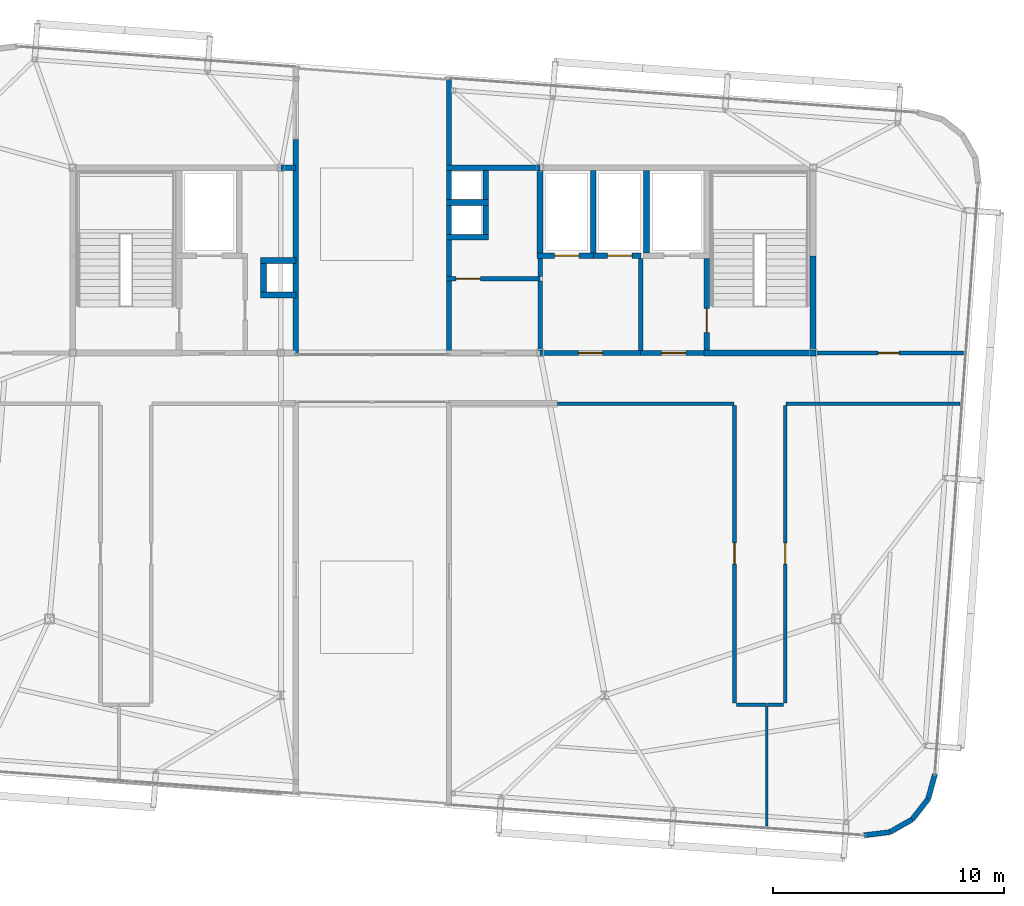
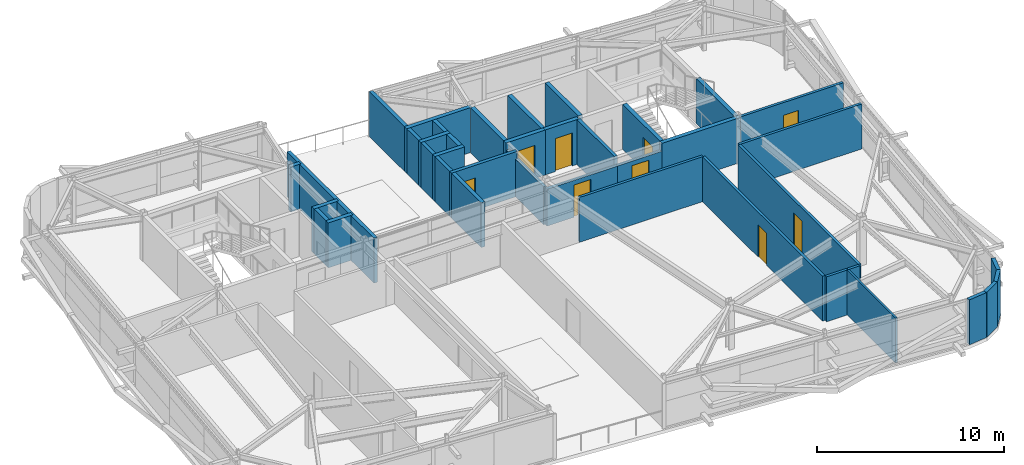
# One storey, part 33 of 36: 37 walls, 9 doors, 9 openings.
"""IFC4 building model written with IfcOpenShell, lengths in metres."""

from ifc_helpers import new_model, si_unit, direction, frame, frame_2d, origin, place, context, subcontext, project, spatial, rectangle, extrude, source, transform, mapped, material, layer, layer_set, type_object, element, fill, save


model = new_model("IFC4")

# Units and contexts
model_context = context("Model", 3, precision=1e-05, world=origin(), true_north=direction((0.0, 1.0)))
body_context = subcontext(model_context, "Body", "Model", "MODEL_VIEW")
ifc_project = project(units=[si_unit("LENGTHUNIT", "METRE"), si_unit("AREAUNIT", "SQUARE_METRE"), si_unit("VOLUMEUNIT", "CUBIC_METRE"), si_unit("PLANEANGLEUNIT", "RADIAN"), si_unit("MASSUNIT", "GRAM", prefix="KILO")], contexts=[model_context])

# Site, building, storey
site_placement = place(None, origin())
site = spatial("IfcSite", under=ifc_project, at=site_placement, CompositionType="ELEMENT")
building_placement = place(site_placement, origin())
building = spatial("IfcBuilding", under=site, at=building_placement, Name="Taldren Reach Tower", CompositionType="ELEMENT")
storey_placement = place(building_placement, frame((0.0, 0.0, 227.14990234375)))
storey = spatial("IfcBuildingStorey", under=building, at=storey_placement, Name="L69", CompositionType="ELEMENT", Elevation=227.14990234375)

# Walls
ifc_material_1 = material(Name="Pale Champagne Anodised Aluminium Cladding", Category="aluminium")
ifc_layer_1 = layer(ifc_material_1, 0.04, Name="Pale Champagne Anodised Aluminium Cladding", Category="aluminium")
ifc_material_2 = material(Name="Mineral Wool Acoustic Insulation", Category="insulation")
ifc_layer_2 = layer(ifc_material_2, 0.06, Name="Mineral Wool Acoustic Insulation", Category="insulation")
ifc_material_3 = material(Name="Steel Gr 350 (C350L0)", Category="steel")
ifc_layer_3 = layer(ifc_material_3, 0.12, Name="Steel Gr 350 (C350L0)", Category="steel")
ifc_layer_set_1 = layer_set([ifc_layer_1, ifc_layer_2, ifc_layer_3], Name="Pale Champagne Aluminium Cladding and Steel Gr 350 Stud Framing")
wall_type_1 = type_object("IfcWallType", Name="EW-CRN-220", PredefinedType="SOLIDWALL", material=ifc_layer_set_1)
shared_shape_1 = source(origin(), body_context, "Body", "SweptSolid", [
    extrude(rectangle(XDim=1.115966796875, YDim=0.219970703125, at=frame_2d((0.55810546875, 0.0))), origin(), (0.0, 0.0, 1.0), 2.93017578125),
])
for number, where, z_axis, x_axis, name in (
    (1, (53.20068359375, 3.15380859375, 0.0), (0.0, 0.0, 1.0), (0.992438604032, 0.122742076028, 0.0), "Rounded-corner pale-metal facade wall L69-SE1"),
    (2, (55.279052734375, 3.84130859375, 0.0), (0.0, 0.0, 1.0), (0.615015475096, 0.788515038152, 0.0), "Rounded-corner pale-metal facade wall L69-SE3"),
    (3, (55.96533203125, 4.72119140625, 0.0), (0.0, 0.0, 1.0), (0.26624444942, 0.963905541613, 0.0), "Rounded-corner pale-metal facade wall L69-SE4"),
):
    element("IfcWall", number, at=place(storey_placement, frame(where, z_axis=z_axis, x_axis=x_axis)), inside=storey, type_object=wall_type_1, Name=name, PredefinedType="SOLIDWALL", context=body_context, shape_type="MappedRepresentation", body=[
        mapped(shared_shape_1, transform((0.0, 0.0, 0.0), scale=1.0)),
    ])
shared_shape_2 = source(origin(), body_context, "Body", "SweptSolid", [
    extrude(rectangle(XDim=1.1162109375, YDim=0.219970703125, at=frame_2d((0.55810546875, 0.0))), origin(), (0.0, 0.0, 1.0), 2.93017578125),
])
wall_1_placement = place(storey_placement, frame((54.30810546875, 3.290771484375, 0.0), z_axis=(0.0, 0.0, 1.0), x_axis=(0.869893934693, 0.49323882895, 0.0)))
element("IfcWall", 4, at=wall_1_placement, inside=storey, type_object=wall_type_1, Name="Rounded-corner pale-metal facade wall L69-SE2", PredefinedType="SOLIDWALL", context=body_context, shape_type="MappedRepresentation", body=[
    mapped(shared_shape_2, transform((0.0, 0.0, 0.0), scale=1.0)),
])
shared_shape_3 = source(origin(), body_context, "Body", "SweptSolid", [
    extrude(rectangle(XDim=9.300048828125, YDim=0.219970703125, at=frame_2d((4.64990234375, 0.0))), origin(), (0.0, 0.0, 1.0), 2.93017578125),
])
wall_2_placement = place(storey_placement, frame((28.639892578125, 23.919921875, 0.0), z_axis=(0.0, 0.0, 1.0), x_axis=(0.0, 1.0, 0.0)))
element("IfcWall", 5, at=wall_2_placement, inside=storey, type_object=wall_type_1, Name="Wind portal reveal wall L69-NW", PredefinedType="SOLIDWALL", context=body_context, shape_type="MappedRepresentation", body=[
    mapped(shared_shape_3, transform((0.0, 0.0, 0.0), scale=1.0)),
])
shared_shape_4 = source(origin(), body_context, "Body", "SweptSolid", [
    extrude(rectangle(XDim=11.9638671875, YDim=0.219970703125, at=frame_2d((5.98193359375, 0.0))), origin(), (0.0, 0.0, 1.0), 2.93017578125),
])
wall_3_placement = place(storey_placement, frame((35.260009765625, 35.8837890625, 0.0), z_axis=(0.0, 0.0, 1.0), x_axis=(0.0, -1.0, 0.0)))
element("IfcWall", 6, at=wall_3_placement, inside=storey, type_object=wall_type_1, Name="Wind portal reveal wall L69-NE", PredefinedType="SOLIDWALL", context=body_context, shape_type="MappedRepresentation", body=[
    mapped(shared_shape_4, transform((0.0, 0.0, 0.0), scale=1.0)),
])
ifc_material_4 = material(Name="Concrete S50 (50 MPa)", Category="concrete")
ifc_layer_4 = layer(ifc_material_4, 0.199951171875)
ifc_layer_set_2 = layer_set([ifc_layer_4], Name="Concrete S50 (50 MPa)")
wall_type_2 = type_object("IfcWallType", Name="IW-CORE-200", PredefinedType="SOLIDWALL", material=ifc_layer_set_2)
shared_shape_5 = source(origin(), body_context, "Body", "SweptSolid", [
    extrude(rectangle(XDim=3.0, YDim=0.199951171875, at=frame_2d((1.5, 0.0))), origin(), (0.0, 0.0, 1.0), 2.47021484375),
])
wall_4_placement = place(storey_placement, frame((39.199951171875, 24.10009765625, 0.0), z_axis=(0.0, 0.0, 1.0), x_axis=(0.0, 1.0, 0.0)))
element("IfcWall", 7, at=wall_4_placement, inside=storey, type_object=wall_type_2, Name="Rear Core Shear Wall W-INT-L69-026", PredefinedType="SOLIDWALL", context=body_context, shape_type="MappedRepresentation", body=[
    mapped(shared_shape_5, transform((0.0, 0.0, 0.0), scale=1.0)),
])
ifc_material_5 = material(Name="Fire-Rated Acoustic Plasterboard Stud Wall", Category="gypsum")
ifc_layer_5 = layer(ifc_material_5, 0.159912109375)
ifc_layer_set_3 = layer_set([ifc_layer_5], Name="Fire-Rated Acoustic Plasterboard Stud Wall")
wall_type_3 = type_object("IfcWallType", Name="IW-FIRE-160", PredefinedType="PARTITIONING", material=ifc_layer_set_3)
shared_shape_6 = source(origin(), body_context, "Body", "SweptSolid", [
    extrude(rectangle(XDim=1.2998046875, YDim=0.159912109375, at=frame_2d((0.64990234375, 0.0))), origin(), (0.0, 0.0, 1.0), 2.93017578125),
])
wall_5_placement = place(storey_placement, frame((48.979736328125, 8.800048828125, 0.0), z_axis=(0.0, 0.0, 1.0), x_axis=(-1.0, 0.0, 0.0)))
element("IfcWall", 8, at=wall_5_placement, inside=storey, type_object=wall_type_3, Name="Interior Partition Wall W-INT-L69-037", PredefinedType="PARTITIONING", context=body_context, shape_type="MappedRepresentation", body=[
    mapped(shared_shape_6, transform((0.0, 0.0, 0.0), scale=1.0)),
])

# Wall, opening, door
shared_shape_7 = source(origin(), body_context, "Body", "SweptSolid", [
    extrude(rectangle(XDim=4.35009765625, YDim=0.199951171875, at=frame_2d((2.175048828125, 0.0))), origin(), (0.0, 0.0, 1.0), 2.397216796875),
])
wall_6_placement = place(storey_placement, frame((43.550048828125, 24.0, 0.0), z_axis=(0.0, 0.0, 1.0), x_axis=(-1.0, 0.0, 0.0)))
wall_6 = element("IfcWall", 9, at=wall_6_placement, inside=storey, type_object=wall_type_2, Name="Rear Core Shear Wall W-INT-L69-028", PredefinedType="SOLIDWALL", context=body_context, shape_type="MappedRepresentation", body=[
    mapped(shared_shape_7, transform((0.0, 0.0, 0.0), scale=1.0)),
])
shared_shape_8 = source(origin(), body_context, "Body", "SweptSolid", [
    extrude(rectangle(XDim=1.050048828125, YDim=2.10009765625, at=frame_2d((0.52490234375, 1.050048828125))), frame((0.0, 0.10986328125, 0.0), z_axis=(0.0, -1.0, 0.0), x_axis=(1.0, 0.0, 0.0)), (0.0, 0.0, 1.0), 0.219970703125),
])
opening_1_placement = place(wall_6_placement, frame((1.64990234375, 0.0, 0.0)))
opening_1 = element("IfcOpeningElement", 10, at=opening_1_placement, cuts=wall_6, Name="Opening DF-105", PredefinedType="OPENING", context=body_context, shape_type="MappedRepresentation", body=[
    mapped(shared_shape_8, transform((0.0, 0.0, 0.0), scale=1.0)),
])
ifc_material_6 = material(Name="Fire-Rated Care and Stair Exit Door")
door_type_1 = type_object("IfcDoorType", Name="ID-FIRE-105", OperationType="NOTDEFINED", PredefinedType="DOOR", material=ifc_material_6)
shared_shape_9 = source(origin(), body_context, "Body", "SweptSolid", [
    extrude(rectangle(XDim=1.050048828125, YDim=2.10009765625, at=frame_2d((0.52490234375, 1.050048828125))), frame((0.0, 0.02490234375, 0.0), z_axis=(0.0, -1.0, 0.0), x_axis=(1.0, 0.0, 0.0)), (0.0, 0.0, 1.0), 0.050048828125),
])
door_1_placement = place(opening_1_placement, frame((1.050048828125, 0.0, 0.0), z_axis=(0.0, 0.0, 1.0), x_axis=(-1.0, 0.0, 0.0)))
door_1 = element("IfcDoor", 11, at=door_1_placement, inside=storey, type_object=door_type_1, Name="Interior Door DR-L69-005", OperationType="SINGLE_SWING_LEFT", OverallHeight=2.10009765625, OverallWidth=1.050048828125, PredefinedType="DOOR", context=body_context, shape_type="MappedRepresentation", body=[
    mapped(shared_shape_9, transform((0.0, 0.0, 0.0), scale=1.0)),
])
fill(opening_1, door_1)

# Walls
ifc_material_7 = material(Name="Concrete S65 (65 MPa)", Category="concrete")
ifc_layer_6 = layer(ifc_material_7, 0.25)
ifc_layer_set_4 = layer_set([ifc_layer_6], Name="Concrete S65 (65 MPa)")
wall_type_4 = type_object("IfcWallType", Name="IW-CORE-250", PredefinedType="SHEAR", material=ifc_layer_set_4)
shared_shape_10 = source(origin(), body_context, "Body", "SweptSolid", [
    extrude(rectangle(XDim=4.074951171875, YDim=0.25, at=frame_2d((2.03759765625, 0.0))), origin(), (0.0, 0.0, 1.0), 2.93017578125),
])
wall_7_placement = place(storey_placement, frame((51.0, 24.125, 0.0), z_axis=(0.0, 0.0, 1.0), x_axis=(0.0, 1.0, 0.0)))
element("IfcWall", 12, at=wall_7_placement, inside=storey, type_object=wall_type_4, Name="Rear Core Shear Wall W-CORE-L69-EAST1", PredefinedType="SHEAR", context=body_context, shape_type="MappedRepresentation", body=[
    mapped(shared_shape_10, transform((0.0, 0.0, 0.0), scale=1.0)),
])
shared_shape_11 = source(origin(), body_context, "Body", "SweptSolid", [
    extrude(rectangle(XDim=3.550048828125, YDim=0.25, at=frame_2d((1.77490234375, 0.0))), origin(), (0.0, 0.0, 1.0), 2.93017578125),
])
for number, where, z_axis, x_axis, name in (
    (13, (43.800048828125, 31.875, 0.0), (0.0, 0.0, 1.0), (0.0, -1.0, 0.0), "Rear Core Shear Wall W-INT-L69-012"),
    (14, (41.5, 28.324951171875, 0.0), (0.0, 0.0, 1.0), (0.0, 1.0, 0.0), "Rear Core Shear Wall W-INT-L69-022"),
    (15, (39.199951171875, 31.875, 0.0), (0.0, 0.0, 1.0), (0.0, -1.0, 0.0), "Rear Core Shear Wall W-INT-L69-024"),
):
    element("IfcWall", number, at=place(storey_placement, frame(where, z_axis=z_axis, x_axis=x_axis)), inside=storey, type_object=wall_type_4, Name=name, PredefinedType="SHEAR", context=body_context, shape_type="MappedRepresentation", body=[
        mapped(shared_shape_11, transform((0.0, 0.0, 0.0), scale=1.0)),
    ])

# Wall, opening, door
shared_shape_12 = source(origin(), body_context, "Body", "SweptSolid", [
    extrude(rectangle(XDim=3.949951171875, YDim=0.25, at=frame_2d((1.97509765625, 0.0))), origin(), (0.0, 0.0, 1.0), 2.93017578125),
])
wall_8_placement = place(storey_placement, frame((46.39990234375, 28.074951171875, 0.0), z_axis=(0.0, 0.0, 1.0), x_axis=(0.0, -1.0, 0.0)))
wall_8 = element("IfcWall", 16, at=wall_8_placement, inside=storey, type_object=wall_type_4, Name="Rear Core Shear Wall W-INT-L69-009", PredefinedType="SHEAR", context=body_context, shape_type="MappedRepresentation", body=[
    mapped(shared_shape_12, transform((0.0, 0.0, 0.0), scale=1.0)),
])
shared_shape_13 = source(origin(), body_context, "Body", "SweptSolid", [
    extrude(rectangle(XDim=1.050048828125, YDim=2.10009765625, at=frame_2d((0.52490234375, 1.050048828125))), frame((0.0, 0.135009765625, 0.0), z_axis=(0.0, -1.0, 0.0), x_axis=(1.0, 0.0, 0.0)), (0.0, 0.0, 1.0), 0.27001953125),
])
opening_2_placement = place(wall_8_placement, frame((2.14990234375, 0.0, 0.0)))
opening_2 = element("IfcOpeningElement", 17, at=opening_2_placement, cuts=wall_8, Name="Opening DF-105", PredefinedType="OPENING", context=body_context, shape_type="MappedRepresentation", body=[
    mapped(shared_shape_13, transform((0.0, 0.0, 0.0), scale=1.0)),
])
door_2_placement = place(opening_2_placement, origin())
door_2 = element("IfcDoor", 18, at=door_2_placement, inside=storey, type_object=door_type_1, Name="Fire Exit Stair Door DR-L69-003", OperationType="SINGLE_SWING_RIGHT", OverallHeight=2.10009765625, OverallWidth=1.050048828125, PredefinedType="DOOR", context=body_context, shape_type="MappedRepresentation", body=[
    mapped(shared_shape_9, transform((0.0, 0.0, 0.0), scale=1.0)),
])
fill(opening_2, door_2)

# Walls
shared_shape_14 = source(origin(), body_context, "Body", "SweptSolid", [
    extrude(rectangle(XDim=4.85009765625, YDim=0.25, at=frame_2d((2.425048828125, 0.0))), origin(), (0.0, 0.0, 1.0), 2.93017578125),
])
wall_9_placement = place(storey_placement, frame((46.27490234375, 24.0, 0.0), z_axis=(0.0, 0.0, 1.0), x_axis=(1.0, 0.0, 0.0)))
element("IfcWall", 19, at=wall_9_placement, inside=storey, type_object=wall_type_4, Name="Rear Core Shear Wall W-INT-L69-010", PredefinedType="SHEAR", context=body_context, shape_type="MappedRepresentation", body=[
    mapped(shared_shape_14, transform((0.0, 0.0, 0.0), scale=1.0)),
])
shared_shape_15 = source(origin(), body_context, "Body", "SweptSolid", [
    extrude(rectangle(XDim=3.974853515625, YDim=0.199951171875, at=frame_2d((1.9873046875, 0.0))), origin(), (0.0, 0.0, 1.0), 2.93017578125),
])
wall_10_placement = place(storey_placement, frame((43.550048828125, 28.074951171875, 0.0), z_axis=(0.0, 0.0, 1.0), x_axis=(0.0, -1.0, 0.0)))
element("IfcWall", 20, at=wall_10_placement, inside=storey, type_object=wall_type_2, Name="Rear Core Shear Wall W-INT-L69-013", PredefinedType="SOLIDWALL", context=body_context, shape_type="MappedRepresentation", body=[
    mapped(shared_shape_15, transform((0.0, 0.0, 0.0), scale=1.0)),
])

# Wall, opening, door
shared_shape_16 = source(origin(), body_context, "Body", "SweptSolid", [
    extrude(rectangle(XDim=2.724853515625, YDim=0.199951171875, at=frame_2d((1.3623046875, 0.0))), origin(), (0.0, 0.0, 1.0), 2.397216796875),
])
wall_11_placement = place(storey_placement, frame((43.550048828125, 24.0, 0.0), z_axis=(0.0, 0.0, 1.0), x_axis=(1.0, 0.0, 0.0)))
wall_11 = element("IfcWall", 21, at=wall_11_placement, inside=storey, type_object=wall_type_2, Name="Rear Core Shear Wall W-INT-L69-014", PredefinedType="SOLIDWALL", context=body_context, shape_type="MappedRepresentation", body=[
    mapped(shared_shape_16, transform((0.0, 0.0, 0.0), scale=1.0)),
])
opening_3_placement = place(wall_11_placement, frame((0.89990234375, 0.0, 0.0)))
opening_3 = element("IfcOpeningElement", 22, at=opening_3_placement, cuts=wall_11, Name="Opening DF-105", PredefinedType="OPENING", context=body_context, shape_type="MappedRepresentation", body=[
    mapped(shared_shape_8, transform((0.0, 0.0, 0.0), scale=1.0)),
])
door_3_placement = place(opening_3_placement, origin())
door_3 = element("IfcDoor", 23, at=door_3_placement, inside=storey, type_object=door_type_1, Name="Interior Door DR-L69-004", OperationType="SINGLE_SWING_LEFT", OverallHeight=2.10009765625, OverallWidth=1.050048828125, PredefinedType="DOOR", context=body_context, shape_type="MappedRepresentation", body=[
    mapped(shared_shape_9, transform((0.0, 0.0, 0.0), scale=1.0)),
])
fill(opening_3, door_3)

# Walls
shared_shape_17 = source(origin(), body_context, "Body", "SweptSolid", [
    extrude(rectangle(XDim=1.25, YDim=0.25, at=frame_2d((0.625, 0.0))), origin(), (0.0, 0.0, 1.0), 2.93017578125),
])
for number, where, z_axis, x_axis, name in (
    (24, (36.85009765625, 30.625, 0.0), (0.0, 0.0, 1.0), (0.0, 1.0, 0.0), "Rear Core Shear Wall W-INT-L69-016"),
    (25, (36.85009765625, 29.125, 0.0), (0.0, 0.0, 1.0), (0.0, 1.0, 0.0), "Rear Core Shear Wall W-INT-L69-018"),
    (26, (27.25, 27.875, 0.0), (0.0, 0.0, 1.0), (0.0, -1.0, 0.0), "Rear Core Shear Wall W-INT-L69-019"),
):
    element("IfcWall", number, at=place(storey_placement, frame(where, z_axis=z_axis, x_axis=x_axis)), inside=storey, type_object=wall_type_4, Name=name, PredefinedType="SHEAR", context=body_context, shape_type="MappedRepresentation", body=[
        mapped(shared_shape_17, transform((0.0, 0.0, 0.0), scale=1.0)),
    ])

# Wall, opening, door
shared_shape_18 = source(origin(), body_context, "Body", "SweptSolid", [
    extrude(rectangle(XDim=2.425048828125, YDim=0.25, at=frame_2d((1.21240234375, 0.0))), origin(), (0.0, 0.0, 1.0), 2.93017578125),
])
wall_12_placement = place(storey_placement, frame((39.074951171875, 28.199951171875, 0.0), z_axis=(0.0, 0.0, 1.0), x_axis=(1.0, 0.0, 0.0)))
wall_12 = element("IfcWall", 27, at=wall_12_placement, inside=storey, type_object=wall_type_4, Name="Rear Core Shear Wall W-INT-L69-023", PredefinedType="SHEAR", context=body_context, shape_type="MappedRepresentation", body=[
    mapped(shared_shape_18, transform((0.0, 0.0, 0.0), scale=1.0)),
])
shared_shape_19 = source(origin(), body_context, "Body", "SweptSolid", [
    extrude(rectangle(XDim=1.050048828125, YDim=2.14990234375, at=frame_2d((0.52490234375, 1.074951171875))), frame((0.0, 0.135009765625, 0.0), z_axis=(0.0, -1.0, 0.0), x_axis=(1.0, 0.0, 0.0)), (0.0, 0.0, 1.0), 0.27001953125),
])
opening_4_placement = place(wall_12_placement, frame((0.75, 0.0, 0.0)))
opening_4 = element("IfcOpeningElement", 28, at=opening_4_placement, cuts=wall_12, Name="Opening LD-PH1", PredefinedType="OPENING", context=body_context, shape_type="MappedRepresentation", body=[
    mapped(shared_shape_19, transform((0.0, 0.0, 0.0), scale=1.0)),
])
ifc_material_8 = material(Name="Stainless Steel Gr 316 Passenger Lift Landing Door", Category="steel")
door_type_2 = type_object("IfcDoorType", Name="LD-PAS-105", OperationType="SLIDING_TO_LEFT", PredefinedType="DOOR", material=ifc_material_8)
shared_shape_20 = source(origin(), body_context, "Body", "SweptSolid", [
    extrude(rectangle(XDim=1.050048828125, YDim=2.14990234375, at=frame_2d((0.52490234375, 1.074951171875))), frame((0.0, 0.02490234375, 0.0), z_axis=(0.0, -1.0, 0.0), x_axis=(1.0, 0.0, 0.0)), (0.0, 0.0, 1.0), 0.050048828125),
])
door_4_placement = place(opening_4_placement, origin())
door_4 = element("IfcDoor", 29, at=door_4_placement, inside=storey, type_object=door_type_2, Name="Lift Landing Door LD-PH1-L69", OperationType="SLIDING_TO_LEFT", OverallHeight=2.14990234375, OverallWidth=1.050048828125, PredefinedType="DOOR", context=body_context, shape_type="MappedRepresentation", body=[
    mapped(shared_shape_20, transform((0.0, 0.0, 0.0), scale=1.0)),
])
fill(opening_4, door_4)

shared_shape_21 = source(origin(), body_context, "Body", "SweptSolid", [
    extrude(rectangle(XDim=2.070068359375, YDim=0.25, at=frame_2d((1.03515625, 0.0))), origin(), (0.0, 0.0, 1.0), 2.93017578125),
])
wall_13_placement = place(storey_placement, frame((41.5, 28.199951171875, 0.0), z_axis=(0.0, 0.0, 1.0), x_axis=(1.0, 0.0, 0.0)))
wall_13 = element("IfcWall", 30, at=wall_13_placement, inside=storey, type_object=wall_type_4, Name="Rear Core Shear Wall W-INT-L69-025", PredefinedType="SHEAR", context=body_context, shape_type="MappedRepresentation", body=[
    mapped(shared_shape_21, transform((0.0, 0.0, 0.0), scale=1.0)),
])
opening_5_placement = place(wall_13_placement, frame((0.625, 0.0, 0.0)))
opening_5 = element("IfcOpeningElement", 31, at=opening_5_placement, cuts=wall_13, Name="Opening LD-PH2", PredefinedType="OPENING", context=body_context, shape_type="MappedRepresentation", body=[
    mapped(shared_shape_19, transform((0.0, 0.0, 0.0), scale=1.0)),
])
door_5_placement = place(opening_5_placement, origin())
door_5 = element("IfcDoor", 32, at=door_5_placement, inside=storey, type_object=door_type_2, Name="Lift Landing Door LD-PH2-L69", OperationType="SLIDING_TO_LEFT", OverallHeight=2.14990234375, OverallWidth=1.050048828125, PredefinedType="DOOR", context=body_context, shape_type="MappedRepresentation", body=[
    mapped(shared_shape_20, transform((0.0, 0.0, 0.0), scale=1.0)),
])
fill(opening_5, door_5)

shared_shape_22 = source(origin(), body_context, "Body", "SweptSolid", [
    extrude(rectangle(XDim=12.840087890625, YDim=0.159912109375, at=frame_2d((6.419921875, 0.0))), origin(), (0.0, 0.0, 1.0), 2.93017578125),
])
wall_14_placement = place(storey_placement, frame((47.60009765625, 8.8798828125, 0.0), z_axis=(0.0, 0.0, 1.0), x_axis=(0.0, 1.0, 0.0)))
wall_14 = element("IfcWall", 33, at=wall_14_placement, inside=storey, type_object=wall_type_3, Name="Interior Partition Wall W-INT-L69-035", PredefinedType="PARTITIONING", context=body_context, shape_type="MappedRepresentation", body=[
    mapped(shared_shape_22, transform((0.0, 0.0, 0.0), scale=1.0)),
])
shared_shape_23 = source(origin(), body_context, "Body", "SweptSolid", [
    extrude(rectangle(XDim=0.919921875, YDim=2.10009765625, at=frame_2d((0.4599609375, 1.050048828125))), frame((0.0, 0.08984375, 0.0), z_axis=(0.0, -1.0, 0.0), x_axis=(1.0, 0.0, 0.0)), (0.0, 0.0, 1.0), 0.179931640625),
])
opening_6_placement = place(wall_14_placement, frame((5.98974609375, 0.0, 0.0)))
opening_6 = element("IfcOpeningElement", 34, at=opening_6_placement, cuts=wall_14, Name="Opening DI-092", PredefinedType="OPENING", context=body_context, shape_type="MappedRepresentation", body=[
    mapped(shared_shape_23, transform((0.0, 0.0, 0.0), scale=1.0)),
])
ifc_material_9 = material(Name="Solid-Core Timber Suite Door", Category="wood")
door_type_3 = type_object("IfcDoorType", Name="ID-INT-092", OperationType="NOTDEFINED", PredefinedType="DOOR", material=ifc_material_9)
shared_shape_24 = source(origin(), body_context, "Body", "SweptSolid", [
    extrude(rectangle(XDim=0.919921875, YDim=2.10009765625, at=frame_2d((0.4599609375, 1.050048828125))), frame((0.0, 0.02490234375, 0.0), z_axis=(0.0, -1.0, 0.0), x_axis=(1.0, 0.0, 0.0)), (0.0, 0.0, 1.0), 0.050048828125),
])
door_6_placement = place(opening_6_placement, origin())
door_6 = element("IfcDoor", 35, at=door_6_placement, inside=storey, type_object=door_type_3, Name="Interior Door DR-L69-009", OperationType="SINGLE_SWING_RIGHT", OverallHeight=2.10009765625, OverallWidth=0.919921875, PredefinedType="DOOR", context=body_context, shape_type="MappedRepresentation", body=[
    mapped(shared_shape_24, transform((0.0, 0.0, 0.0), scale=1.0)),
])
fill(opening_6, door_6)

wall_15_placement = place(storey_placement, frame((49.800048828125, 21.719970703125, 0.0), z_axis=(0.0, 0.0, 1.0), x_axis=(0.0, -1.0, 0.0)))
wall_15 = element("IfcWall", 36, at=wall_15_placement, inside=storey, type_object=wall_type_3, Name="Interior Partition Wall W-INT-L69-041", PredefinedType="PARTITIONING", context=body_context, shape_type="MappedRepresentation", body=[
    mapped(shared_shape_22, transform((0.0, 0.0, 0.0), scale=1.0)),
])
opening_7_placement = place(wall_15_placement, frame((5.93017578125, 0.0, 0.0)))
opening_7 = element("IfcOpeningElement", 37, at=opening_7_placement, cuts=wall_15, Name="Opening DI-092", PredefinedType="OPENING", context=body_context, shape_type="MappedRepresentation", body=[
    mapped(shared_shape_23, transform((0.0, 0.0, 0.0), scale=1.0)),
])
door_7_placement = place(opening_7_placement, origin())
door_7 = element("IfcDoor", 38, at=door_7_placement, inside=storey, type_object=door_type_3, Name="Interior Door DR-L69-011", OperationType="SINGLE_SWING_RIGHT", OverallHeight=2.10009765625, OverallWidth=0.919921875, PredefinedType="DOOR", context=body_context, shape_type="MappedRepresentation", body=[
    mapped(shared_shape_24, transform((0.0, 0.0, 0.0), scale=1.0)),
])
fill(opening_7, door_7)

# Wall
shared_shape_25 = source(origin(), body_context, "Body", "SweptSolid", [
    extrude(rectangle(XDim=0.77490234375, YDim=0.199951171875, at=frame_2d((0.387451171875, 0.0))), origin(), (0.0, 0.0, 1.0), 2.47021484375),
])
wall_16_placement = place(storey_placement, frame((39.199951171875, 27.300048828125, 0.0), z_axis=(0.0, 0.0, 1.0), x_axis=(0.0, 1.0, 0.0)))
element("IfcWall", 39, at=wall_16_placement, inside=storey, type_object=wall_type_2, Name="Rear Core Shear Wall W-INT-L69-027", PredefinedType="SOLIDWALL", context=body_context, shape_type="MappedRepresentation", body=[
    mapped(shared_shape_25, transform((0.0, 0.0, 0.0), scale=1.0)),
])

# Wall, opening, door
shared_shape_26 = source(origin(), body_context, "Body", "SweptSolid", [
    extrude(rectangle(XDim=4.050048828125, YDim=0.199951171875, at=frame_2d((2.02490234375, 0.0))), origin(), (0.0, 0.0, 1.0), 2.93017578125),
])
wall_17_placement = place(storey_placement, frame((35.14990234375, 27.199951171875, 0.0), z_axis=(0.0, 0.0, 1.0), x_axis=(1.0, 0.0, 0.0)))
wall_17 = element("IfcWall", 40, at=wall_17_placement, inside=storey, type_object=wall_type_2, Name="Rear Core Shear Wall W-INT-L69-030", PredefinedType="SOLIDWALL", context=body_context, shape_type="MappedRepresentation", body=[
    mapped(shared_shape_26, transform((0.0, 0.0, 0.0), scale=1.0)),
])
opening_8_placement = place(wall_17_placement, frame((0.419921875, 0.0, 0.0)))
opening_8 = element("IfcOpeningElement", 41, at=opening_8_placement, cuts=wall_17, Name="Opening DF-105", PredefinedType="OPENING", context=body_context, shape_type="MappedRepresentation", body=[
    mapped(shared_shape_8, transform((0.0, 0.0, 0.0), scale=1.0)),
])
door_8_placement = place(opening_8_placement, origin())
door_8 = element("IfcDoor", 42, at=door_8_placement, inside=storey, type_object=door_type_1, Name="Interior Door DR-L69-006", OperationType="SINGLE_SWING_LEFT", OverallHeight=2.10009765625, OverallWidth=1.050048828125, PredefinedType="DOOR", context=body_context, shape_type="MappedRepresentation", body=[
    mapped(shared_shape_9, transform((0.0, 0.0, 0.0), scale=1.0)),
])
fill(opening_8, door_8)

shared_shape_27 = source(origin(), body_context, "Body", "SweptSolid", [
    extrude(rectangle(XDim=6.378173828125, YDim=0.159912109375, at=frame_2d((3.18896484375, 0.0))), origin(), (0.0, 0.0, 1.0), 2.93017578125),
])
wall_18_placement = place(storey_placement, frame((51.125, 24.0, 0.0), z_axis=(0.0, 0.0, 1.0), x_axis=(1.0, 0.0, 0.0)))
wall_18 = element("IfcWall", 43, at=wall_18_placement, inside=storey, type_object=wall_type_3, Name="Interior Partition Wall W-INT-L69-045", PredefinedType="PARTITIONING", context=body_context, shape_type="MappedRepresentation", body=[
    mapped(shared_shape_27, transform((0.0, 0.0, 0.0), scale=1.0)),
])
opening_9_placement = place(wall_18_placement, frame((2.6767578125, 0.0, 0.0)))
opening_9 = element("IfcOpeningElement", 44, at=opening_9_placement, cuts=wall_18, Name="Opening DI-092", PredefinedType="OPENING", context=body_context, shape_type="MappedRepresentation", body=[
    mapped(shared_shape_23, transform((0.0, 0.0, 0.0), scale=1.0)),
])
door_9_placement = place(opening_9_placement, origin())
door_9 = element("IfcDoor", 45, at=door_9_placement, inside=storey, type_object=door_type_3, Name="Interior Door DR-L69-013", OperationType="SINGLE_SWING_RIGHT", OverallHeight=2.10009765625, OverallWidth=0.919921875, PredefinedType="DOOR", context=body_context, shape_type="MappedRepresentation", body=[
    mapped(shared_shape_24, transform((0.0, 0.0, 0.0), scale=1.0)),
])
fill(opening_9, door_9)

# Walls
shared_shape_28 = source(origin(), body_context, "Body", "SweptSolid", [
    extrude(rectangle(XDim=0.639892578125, YDim=0.25, at=frame_2d((0.31982421875, 0.0))), origin(), (0.0, 0.0, 1.0), 2.93017578125),
])
wall_19_placement = place(storey_placement, frame((28.0, 32.0, 0.0), z_axis=(0.0, 0.0, 1.0), x_axis=(1.0, 0.0, 0.0)))
element("IfcWall", 46, at=wall_19_placement, inside=storey, type_object=wall_type_4, Name="Rear Core Shear Wall W-CORE-L69-NORTH2", PredefinedType="SHEAR", context=body_context, shape_type="MappedRepresentation", body=[
    mapped(shared_shape_28, transform((0.0, 0.0, 0.0), scale=1.0)),
])
shared_shape_29 = source(origin(), body_context, "Body", "SweptSolid", [
    extrude(rectangle(XDim=4.050048828125, YDim=0.25, at=frame_2d((2.02490234375, 0.0))), origin(), (0.0, 0.0, 1.0), 2.93017578125),
])
wall_20_placement = place(storey_placement, frame((35.14990234375, 32.0, 0.0), z_axis=(0.0, 0.0, 1.0), x_axis=(1.0, 0.0, 0.0)))
element("IfcWall", 47, at=wall_20_placement, inside=storey, type_object=wall_type_4, Name="Rear Core Shear Wall W-CORE-L69-NORTH3", PredefinedType="SHEAR", context=body_context, shape_type="MappedRepresentation", body=[
    mapped(shared_shape_29, transform((0.0, 0.0, 0.0), scale=1.0)),
])
shared_shape_30 = source(origin(), body_context, "Body", "SweptSolid", [
    extrude(rectangle(XDim=1.8251953125, YDim=0.25, at=frame_2d((0.91259765625, 0.0))), origin(), (0.0, 0.0, 1.0), 2.93017578125),
])
for number, where, z_axis, x_axis, name in (
    (48, (35.14990234375, 30.5, 0.0), (0.0, 0.0, 1.0), (1.0, 0.0, 0.0), "Rear Core Shear Wall W-INT-L69-015"),
    (49, (35.14990234375, 29.0, 0.0), (0.0, 0.0, 1.0), (1.0, 0.0, 0.0), "Rear Core Shear Wall W-INT-L69-017"),
):
    element("IfcWall", number, at=place(storey_placement, frame(where, z_axis=z_axis, x_axis=x_axis)), inside=storey, type_object=wall_type_4, Name=name, PredefinedType="SHEAR", context=body_context, shape_type="MappedRepresentation", body=[
        mapped(shared_shape_30, transform((0.0, 0.0, 0.0), scale=1.0)),
    ])
shared_shape_31 = source(origin(), body_context, "Body", "SweptSolid", [
    extrude(rectangle(XDim=1.52490234375, YDim=0.25, at=frame_2d((0.762451171875, 0.0))), origin(), (0.0, 0.0, 1.0), 2.93017578125),
])
for number, where, z_axis, x_axis, name in (
    (50, (28.64990234375, 28.0, 0.0), (0.0, 0.0, 1.0), (-1.0, 0.0, 0.0), "Rear Core Shear Wall W-INT-L69-020"),
    (51, (27.125, 26.5, 0.0), (0.0, 0.0, 1.0), (1.0, 0.0, 0.0), "Rear Core Shear Wall W-INT-L69-021"),
):
    element("IfcWall", number, at=place(storey_placement, frame(where, z_axis=z_axis, x_axis=x_axis)), inside=storey, type_object=wall_type_4, Name=name, PredefinedType="SHEAR", context=body_context, shape_type="MappedRepresentation", body=[
        mapped(shared_shape_31, transform((0.0, 0.0, 0.0), scale=1.0)),
    ])
shared_shape_32 = source(origin(), body_context, "Body", "SweptSolid", [
    extrude(rectangle(XDim=7.629638671875, YDim=0.159912109375, at=frame_2d((3.81494140625, 0.0))), origin(), (0.0, 0.0, 1.0), 2.93017578125),
])
wall_21_placement = place(storey_placement, frame((47.57958984375, 21.800048828125, 0.0), z_axis=(0.0, 0.0, 1.0), x_axis=(-1.0, 0.0, 0.0)))
element("IfcWall", 52, at=wall_21_placement, inside=storey, type_object=wall_type_3, Name="Interior Partition Wall W-INT-L69-036", PredefinedType="PARTITIONING", context=body_context, shape_type="MappedRepresentation", body=[
    mapped(shared_shape_32, transform((0.0, 0.0, 0.0), scale=1.0)),
])
shared_shape_33 = source(origin(), body_context, "Body", "SweptSolid", [
    extrude(rectangle(XDim=0.69970703125, YDim=0.159912109375, at=frame_2d((0.349853515625, 0.0))), origin(), (0.0, 0.0, 1.0), 2.93017578125),
])
wall_22_placement = place(storey_placement, frame((49.719970703125, 8.800048828125, 0.0), z_axis=(0.0, 0.0, 1.0), x_axis=(-1.0, 0.0, 0.0)))
element("IfcWall", 53, at=wall_22_placement, inside=storey, type_object=wall_type_3, Name="Interior Partition Wall W-INT-L69-043", PredefinedType="PARTITIONING", context=body_context, shape_type="MappedRepresentation", body=[
    mapped(shared_shape_33, transform((0.0, 0.0, 0.0), scale=1.0)),
])
shared_shape_34 = source(origin(), body_context, "Body", "SweptSolid", [
    extrude(rectangle(XDim=7.532958984375, YDim=0.159912109375, at=frame_2d((3.7666015625, 0.0))), origin(), (0.0, 0.0, 1.0), 2.93017578125),
])
wall_23_placement = place(storey_placement, frame((57.353271484375, 21.800048828125, 0.0), z_axis=(0.0, 0.0, 1.0), x_axis=(-1.0, 0.0, 0.0)))
element("IfcWall", 54, at=wall_23_placement, inside=storey, type_object=wall_type_3, Name="Interior Partition Wall W-INT-L69-042", PredefinedType="PARTITIONING", context=body_context, shape_type="MappedRepresentation", body=[
    mapped(shared_shape_34, transform((0.0, 0.0, 0.0), scale=1.0)),
])
ifc_material_10 = material(Name="Insulated Residential Stud Partition", Category="gypsum")
ifc_layer_7 = layer(ifc_material_10, 0.1201171875)
ifc_layer_set_5 = layer_set([ifc_layer_7], Name="Insulated Residential Stud Partition")
wall_type_5 = type_object("IfcWallType", Name="IW-PART-120", PredefinedType="PARTITIONING", material=ifc_layer_set_5)
shared_shape_35 = source(origin(), body_context, "Body", "SweptSolid", [
    extrude(rectangle(XDim=5.15771484375, YDim=0.1201171875, at=frame_2d((2.578857421875, 0.0))), origin(), (0.0, 0.0, 1.0), 2.93017578125),
])
wall_24_placement = place(storey_placement, frame((49.0, 8.718017578125, 0.0), z_axis=(0.0, 0.0, 1.0), x_axis=(0.0, -1.0, 0.0)))
element("IfcWall", 55, at=wall_24_placement, inside=storey, type_object=wall_type_5, Name="Interior Partition Wall W-INT-L69-047", PredefinedType="PARTITIONING", context=body_context, shape_type="MappedRepresentation", body=[
    mapped(shared_shape_35, transform((0.0, 0.0, 0.0), scale=1.0)),
])

save(model, "model.ifc")
